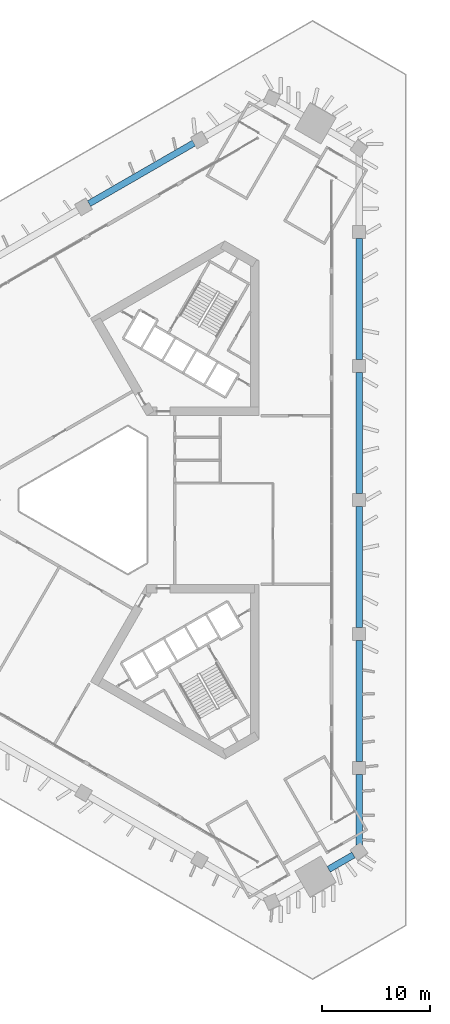
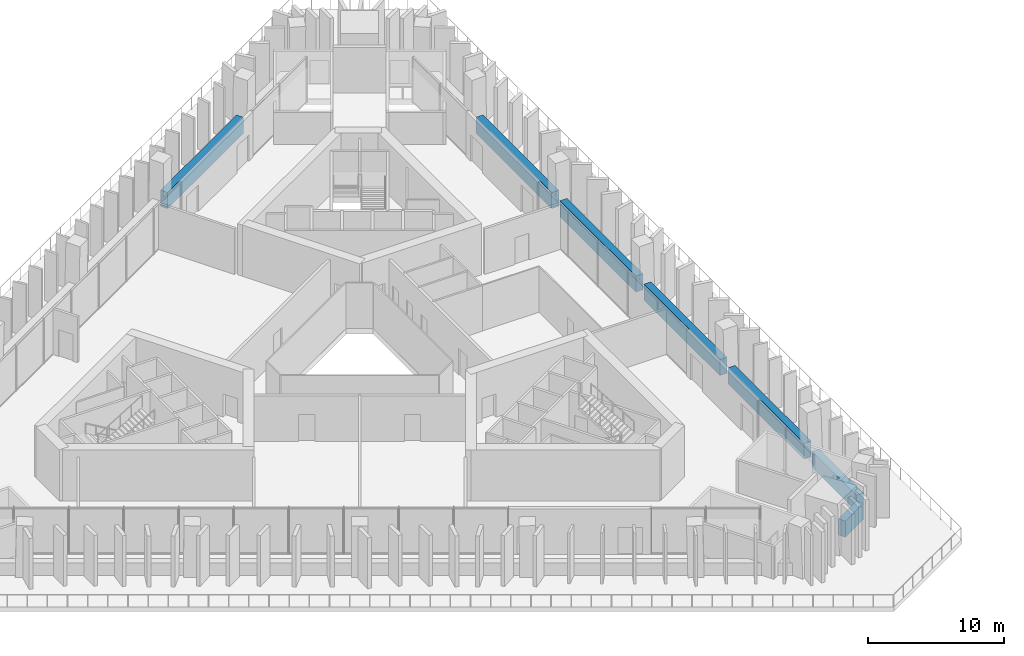
# One storey, part 8 of 31: 7 beams.
"""IFC4 building model written with IfcOpenShell, lengths in metres."""

from ifc_helpers import new_model, si_unit, direction, frame, origin, origin_2d, place, context, subcontext, project, spatial, rectangle, extrude, material, material_profile, profile_set, type_object, element, save


model = new_model("IFC4")

# Units and contexts
model_context = context("Model", 3, precision=1e-05, world=origin(), true_north=direction((0.0, 1.0)))
body_context = subcontext(model_context, "Body", "Model", "MODEL_VIEW")
ifc_project = project(units=[si_unit("LENGTHUNIT", "METRE"), si_unit("AREAUNIT", "SQUARE_METRE"), si_unit("VOLUMEUNIT", "CUBIC_METRE"), si_unit("PLANEANGLEUNIT", "RADIAN"), si_unit("MASSUNIT", "GRAM", prefix="KILO")], contexts=[model_context])

# Site, building, storey
site_placement = place(None, origin())
site = spatial("IfcSite", under=ifc_project, at=site_placement, CompositionType="ELEMENT")
building_placement = place(site_placement, origin())
building = spatial("IfcBuilding", under=site, at=building_placement, Name="Jabali Bay Hotel Tower and Convention Centre", CompositionType="ELEMENT")
storey_placement = place(building_placement, frame((0.0, 0.0, 25.39990234375)))
storey = spatial("IfcBuildingStorey", under=building, at=storey_placement, Name="L04", CompositionType="ELEMENT", Elevation=25.39990234375)

# Beams
ifc_material = material(Name="Concrete C60", Category="concrete")
ifc_material_profile = material_profile(ifc_material, rectangle(XDim=0.60009765625, YDim=1.449951171875, at=origin_2d()), Name="Spandrel 600x1450")
ifc_profile_set = profile_set([ifc_material_profile], Name="Concrete C60")
beam_type = type_object("IfcBeamType", Name="Spandrel 600x1450", PredefinedType="SPANDREL", material=ifc_profile_set)
beam_1_placement = place(storey_placement, frame((83.864501953125, 112.98681640625, 0.375), z_axis=(-0.866030381124, -0.499991378895, 0.0), x_axis=(0.499991378895, -0.866030381124, 0.0)))
element("IfcBeam", 1, at=beam_1_placement, inside=storey, type_object=beam_type, Name="Spandrel F1.1-F1.2 L04", PredefinedType="SPANDREL", context=body_context, shape_type="SweptSolid", body=[
    extrude(rectangle(XDim=0.60009765625, YDim=1.449951171875, at=origin_2d()), origin(), (0.0, 0.0, 1.0), 11.185302734375),
])
beam_2_placement = place(storey_placement, frame((96.322265625, 45.86865234375, 0.375), z_axis=(0.866010570869, 0.500025690483, 0.0), x_axis=(-0.500025690483, 0.866010570869, 0.0)))
element("IfcBeam", 2, at=beam_2_placement, inside=storey, type_object=beam_type, Name="Spandrel M2-V0 L04", PredefinedType="SPANDREL", context=body_context, shape_type="SweptSolid", body=[
    extrude(rectangle(XDim=0.60009765625, YDim=1.449951171875, at=origin_2d()), origin(), (0.0, 0.0, 1.0), 2.648193359375),
])
beam_3_placement = place(storey_placement, frame((99.13525390625, 48.0927734375, 0.375), z_axis=(0.0, 1.0, 0.0), x_axis=(-1.0, 0.0, 0.0)))
element("IfcBeam", 3, at=beam_3_placement, inside=storey, type_object=beam_type, Name="Spandrel V0-F0.1 L04", PredefinedType="SPANDREL", context=body_context, shape_type="SweptSolid", body=[
    extrude(rectangle(XDim=0.60009765625, YDim=1.449951171875, at=origin_2d()), origin(), (0.0, 0.0, 1.0), 6.537109375),
])
for number, where, z_axis, x_axis, name in (
    (4, (99.13525390625, 55.829833984375, 0.375), (0.0, 1.0, 0.0), (-1.0, 0.0, 0.0), "Spandrel F0.1-F0.2 L04"),
    (5, (99.13525390625, 68.21484375, 0.375), (0.0, 1.0, 0.0), (-1.0, 0.0, 0.0), "Spandrel F0.2-F0.3 L04"),
    (6, (99.13525390625, 80.60009765625, 0.375), (0.0, 1.0, 0.0), (-1.0, 0.0, 0.0), "Spandrel F0.3-F0.4 L04"),
    (7, (99.13525390625, 92.985107421875, 0.375), (0.0, 1.0, 0.0), (-1.0, 0.0, 0.0), "Spandrel F0.4-F0.5 L04"),
):
    element("IfcBeam", number, at=place(storey_placement, frame(where, z_axis=z_axis, x_axis=x_axis)), inside=storey, type_object=beam_type, Name=name, PredefinedType="SPANDREL", context=body_context, shape_type="SweptSolid", body=[
        extrude(rectangle(XDim=0.60009765625, YDim=1.449951171875, at=origin_2d()), origin(), (0.0, 0.0, 1.0), 11.18505859375),
    ])

save(model, "model.ifc")
